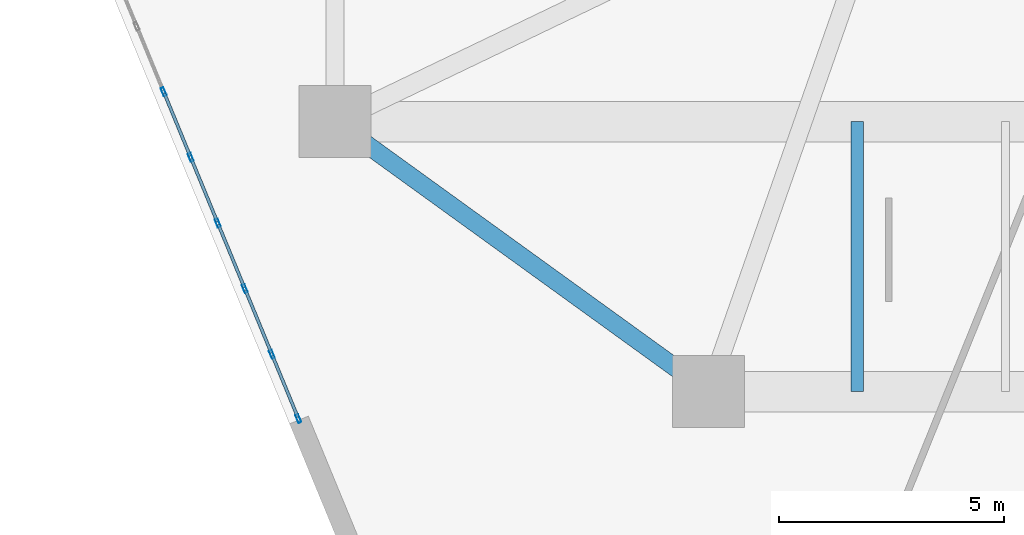
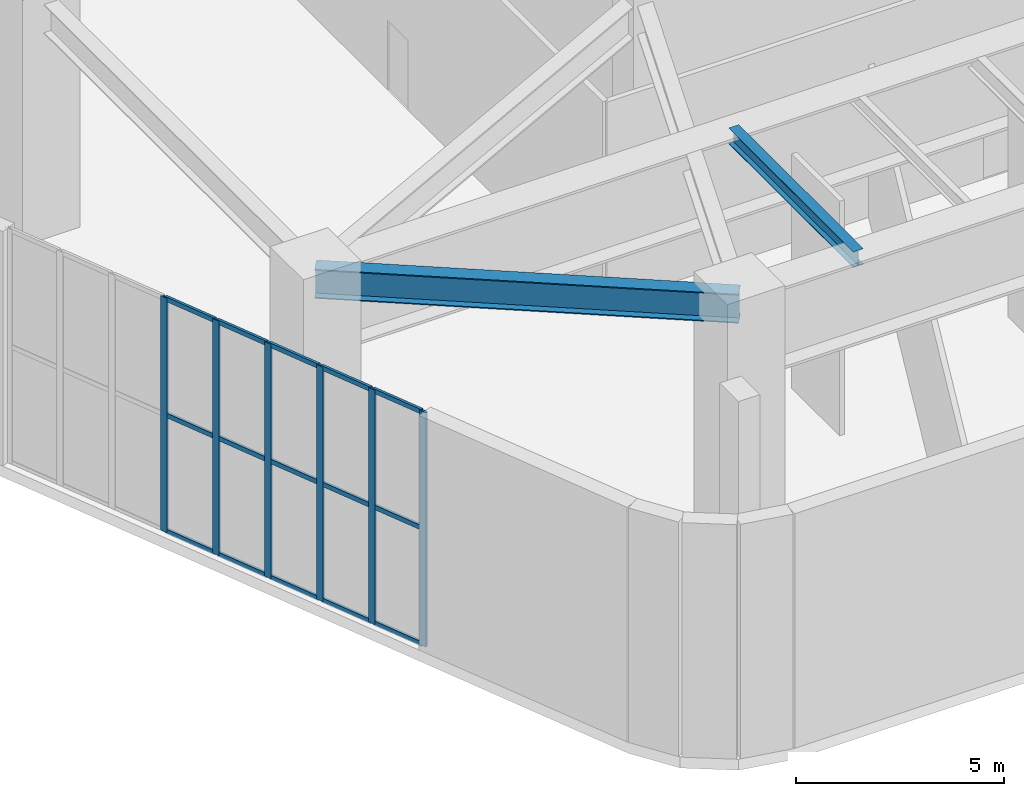
# One storey, part 2 of 17: 21 members, 2 beams, 1 element without a shape of its own.
"""IFC4 building model written with IfcOpenShell, lengths in metres."""

from ifc_helpers import new_model, si_unit, direction, frame, origin, origin_2d, place, context, subcontext, project, spatial, hollow_rectangle, i_section, extrude, material, layer, layer_set, material_profile, profile_set, type_object, element, aggregate, save


model = new_model("IFC4")

# Units and contexts
model_context = context("Model", 3, precision=1e-05, world=origin(), true_north=direction((0.0, 1.0)))
body_context = subcontext(model_context, "Body", "Model", "MODEL_VIEW")
ifc_project = project(units=[si_unit("LENGTHUNIT", "METRE"), si_unit("AREAUNIT", "SQUARE_METRE"), si_unit("VOLUMEUNIT", "CUBIC_METRE"), si_unit("PLANEANGLEUNIT", "RADIAN"), si_unit("MASSUNIT", "GRAM", prefix="KILO")], contexts=[model_context])

# Site, building, storey
site_placement = place(None, origin())
site = spatial("IfcSite", under=ifc_project, at=site_placement, CompositionType="ELEMENT")
building_placement = place(site_placement, origin())
building = spatial("IfcBuilding", under=site, at=building_placement, Name="Kilnhurst Terrace Hotel", CompositionType="ELEMENT")
storey_placement = place(building_placement, frame((0.0, 0.0, 11.39990234375)))
storey = spatial("IfcBuildingStorey", under=building, at=storey_placement, Name="L02", CompositionType="ELEMENT", Elevation=11.39990234375)

# Beams
ifc_material_1 = material(Name="Steel ASTM A992 Grade 50", Category="steel")
ifc_material_profile_1 = material_profile(ifc_material_1, i_section(OverallWidth=0.39990234375, OverallDepth=0.85546875, WebThickness=0.018310546875, FlangeThickness=0.029296875, at=origin_2d()), Name="W33X201")
ifc_profile_set_1 = profile_set([ifc_material_profile_1], Name="Steel ASTM A992 Grade 50")
beam_type_1 = type_object("IfcBeamType", Name="BM-STL-W33X201", PredefinedType="BEAM", material=ifc_profile_set_1)
beam_1_placement = place(storey_placement, frame((-21.5, -13.5, 6.4521484375), z_axis=(0.810423314702, -0.585844732833, 0.0), x_axis=(0.585844732833, 0.810423314702, 0.0)))
element("IfcBeam", 1, at=beam_1_placement, inside=storey, type_object=beam_type_1, Name="L02 Podium Frame Beam 17", PredefinedType="BEAM", context=body_context, shape_type="SweptSolid", body=[
    extrude(i_section(OverallWidth=0.39990234375, OverallDepth=0.85546875, WebThickness=0.018310546875, FlangeThickness=0.029296875, at=origin_2d()), origin(), (0.0, 0.0, 1.0), 10.24169921875),
])
ifc_material_profile_2 = material_profile(ifc_material_1, i_section(OverallWidth=0.279296875, OverallDepth=0.462890625, WebThickness=0.0107421875, FlangeThickness=0.017333984375, at=origin_2d()), Name="W18X76")
ifc_profile_set_2 = profile_set([ifc_material_profile_2], Name="Steel ASTM A992 Grade 50")
beam_type_2 = type_object("IfcBeamType", Name="JST-STL-W18X76", PredefinedType="JOIST", material=ifc_profile_set_2)
beam_2_placement = place(storey_placement, frame((-9.89990234375, -19.5, 6.648193359375), z_axis=(0.0, 1.0, 0.0), x_axis=(-1.0, 0.0, 0.0)))
element("IfcBeam", 2, at=beam_2_placement, inside=storey, type_object=beam_type_2, Name="L02 Ballroom Long-Span Secondary Joist 1", PredefinedType="JOIST", context=body_context, shape_type="SweptSolid", body=[
    extrude(i_section(OverallWidth=0.279296875, OverallDepth=0.462890625, WebThickness=0.0107421875, FlangeThickness=0.017333984375, at=origin_2d()), origin(), (0.0, 0.0, 1.0), 6.0),
])

# Curtain wall, members
ifc_material_2 = material(Name="Anodized Aluminium Alloy 6063-T6 and Low-E Glass", Category="aluminium")
ifc_layer = layer(ifc_material_2, 0.219970703125, Name="Anodized Aluminium Alloy 6063-T6 and Low-E Glass")
ifc_layer_set = layer_set([ifc_layer], Name="Anodized Aluminium Alloy 6063-T6 and Low-E Glass")
curtain_wall_type = type_object("IfcCurtainWallType", Name="CW-POD-TERR", PredefinedType="NOTDEFINED", material=ifc_layer_set)
curtain_wall_placement = place(storey_placement, origin())
curtain_wall = element("IfcCurtainWall", 3, at=curtain_wall_placement, inside=storey, type_object=curtain_wall_type, Name="L02 Curtain Wall CW-L02-F6-1", PredefinedType="NOTDEFINED")
ifc_material_3 = material(Name="Extruded Aluminium Alloy 6063-T6", Category="aluminium")
ifc_material_profile_3 = material_profile(ifc_material_3, hollow_rectangle(XDim=0.070068359375, YDim=0.18994140625, WallThickness=0.00390625, at=origin_2d()), Name="CWM70X190")
ifc_profile_set_3 = profile_set([ifc_material_profile_3], Name="Extruded Aluminium Alloy 6063-T6")
member_type_1 = type_object("IfcMemberType", Name="MEM-CWM70X190", PredefinedType="MULLION", material=ifc_profile_set_3)
member_1_placement = place(storey_placement, frame((-25.306884765625, -12.83740234375, 0.0), z_axis=(0.0, 0.0, 1.0), x_axis=(0.924544973809, 0.381072947615, 0.0)))
member_1 = element("IfcMember", 4, at=member_1_placement, type_object=member_type_1, Name="CWT-2 mullion 4", PredefinedType="MULLION", context=body_context, shape_type="SweptSolid", body=[
    extrude(hollow_rectangle(XDim=0.070068359375, YDim=0.18994140625, WallThickness=0.00390625, at=origin_2d()), origin(), (0.0, 0.0, 1.0), 6.880126953125),
])
member_2_placement = place(storey_placement, frame((-24.70556640625, -14.296142578125, 0.0), z_axis=(0.0, 0.0, 1.0), x_axis=(0.924544973809, 0.381072947615, 0.0)))
member_2 = element("IfcMember", 5, at=member_2_placement, type_object=member_type_1, Name="CWT-2 mullion 5", PredefinedType="MULLION", context=body_context, shape_type="SweptSolid", body=[
    extrude(hollow_rectangle(XDim=0.070068359375, YDim=0.18994140625, WallThickness=0.00390625, at=origin_2d()), origin(), (0.0, 0.0, 1.0), 6.880126953125),
])
member_3_placement = place(storey_placement, frame((-24.1044921875, -15.7548828125, 0.0), z_axis=(0.0, 0.0, 1.0), x_axis=(0.924544973809, 0.381072947615, 0.0)))
member_3 = element("IfcMember", 6, at=member_3_placement, type_object=member_type_1, Name="CWT-2 mullion 6", PredefinedType="MULLION", context=body_context, shape_type="SweptSolid", body=[
    extrude(hollow_rectangle(XDim=0.070068359375, YDim=0.18994140625, WallThickness=0.00390625, at=origin_2d()), origin(), (0.0, 0.0, 1.0), 6.880126953125),
])
member_4_placement = place(storey_placement, frame((-23.503173828125, -17.213623046875, 0.0), z_axis=(0.0, 0.0, 1.0), x_axis=(0.924544973809, 0.381072947615, 0.0)))
member_4 = element("IfcMember", 7, at=member_4_placement, type_object=member_type_1, Name="CWT-2 mullion 7", PredefinedType="MULLION", context=body_context, shape_type="SweptSolid", body=[
    extrude(hollow_rectangle(XDim=0.070068359375, YDim=0.18994140625, WallThickness=0.00390625, at=origin_2d()), origin(), (0.0, 0.0, 1.0), 6.880126953125),
])
member_5_placement = place(storey_placement, frame((-22.90185546875, -18.67236328125, 0.0), z_axis=(0.0, 0.0, 1.0), x_axis=(0.924544973809, 0.381072947615, 0.0)))
member_5 = element("IfcMember", 8, at=member_5_placement, type_object=member_type_1, Name="CWT-2 mullion 8", PredefinedType="MULLION", context=body_context, shape_type="SweptSolid", body=[
    extrude(hollow_rectangle(XDim=0.070068359375, YDim=0.18994140625, WallThickness=0.00390625, at=origin_2d()), origin(), (0.0, 0.0, 1.0), 6.880126953125),
])
member_6_placement = place(storey_placement, frame((-22.31396484375, -20.0986328125, 0.0), z_axis=(0.0, 0.0, 1.0), x_axis=(0.924544973809, 0.381072947615, 0.0)))
member_6 = element("IfcMember", 9, at=member_6_placement, type_object=member_type_1, Name="CWT-2 mullion 9", PredefinedType="MULLION", context=body_context, shape_type="SweptSolid", body=[
    extrude(hollow_rectangle(XDim=0.070068359375, YDim=0.18994140625, WallThickness=0.00390625, at=origin_2d()), origin(), (0.0, 0.0, 1.0), 6.880126953125),
])
ifc_material_profile_4 = material_profile(ifc_material_3, hollow_rectangle(XDim=0.070068359375, YDim=0.135009765625, WallThickness=0.00390625, at=origin_2d()), Name="CWT70X135")
ifc_profile_set_4 = profile_set([ifc_material_profile_4], Name="Extruded Aluminium Alloy 6063-T6")
member_type_2 = type_object("IfcMemberType", Name="MEM-CWT70X135", PredefinedType="USERDEFINED", material=ifc_profile_set_4)
member_7_placement = place(storey_placement, frame((-25.29345703125, -12.869873046875, 0.03515625), z_axis=(0.381002255107, -0.924574108227, 0.0), x_axis=(0.924574108227, 0.381002255107, 0.0)))
member_7 = element("IfcMember", 10, at=member_7_placement, type_object=member_type_2, Name="CWT-2 transom 4.1", ObjectType="TRANSOM", PredefinedType="USERDEFINED", context=body_context, shape_type="SweptSolid", body=[
    extrude(hollow_rectangle(XDim=0.070068359375, YDim=0.135009765625, WallThickness=0.00390625, at=origin_2d()), origin(), (0.0, 0.0, 1.0), 1.5078125),
])
member_8_placement = place(storey_placement, frame((-25.29345703125, -12.869873046875, 3.440185546875), z_axis=(0.381002255107, -0.924574108227, 0.0), x_axis=(0.924574108227, 0.381002255107, 0.0)))
member_8 = element("IfcMember", 11, at=member_8_placement, type_object=member_type_2, Name="CWT-2 transom 4.2", ObjectType="TRANSOM", PredefinedType="USERDEFINED", context=body_context, shape_type="SweptSolid", body=[
    extrude(hollow_rectangle(XDim=0.070068359375, YDim=0.135009765625, WallThickness=0.00390625, at=origin_2d()), origin(), (0.0, 0.0, 1.0), 1.5078125),
])
member_9_placement = place(storey_placement, frame((-25.29345703125, -12.869873046875, 6.84521484375), z_axis=(0.381002255107, -0.924574108227, 0.0), x_axis=(0.924574108227, 0.381002255107, 0.0)))
member_9 = element("IfcMember", 12, at=member_9_placement, type_object=member_type_2, Name="CWT-2 transom 4.3", ObjectType="TRANSOM", PredefinedType="USERDEFINED", context=body_context, shape_type="SweptSolid", body=[
    extrude(hollow_rectangle(XDim=0.070068359375, YDim=0.135009765625, WallThickness=0.00390625, at=origin_2d()), origin(), (0.0, 0.0, 1.0), 1.5078125),
])
member_10_placement = place(storey_placement, frame((-24.6923828125, -14.32861328125, 0.03515625), z_axis=(0.381140659183, -0.924517061994, 0.0), x_axis=(0.924517061994, 0.381140659183, 0.0)))
member_10 = element("IfcMember", 13, at=member_10_placement, type_object=member_type_2, Name="CWT-2 transom 5.1", ObjectType="TRANSOM", PredefinedType="USERDEFINED", context=body_context, shape_type="SweptSolid", body=[
    extrude(hollow_rectangle(XDim=0.070068359375, YDim=0.135009765625, WallThickness=0.00390625, at=origin_2d()), origin(), (0.0, 0.0, 1.0), 1.5078125),
])
member_11_placement = place(storey_placement, frame((-24.6923828125, -14.32861328125, 3.440185546875), z_axis=(0.381140659183, -0.924517061994, 0.0), x_axis=(0.924517061994, 0.381140659183, 0.0)))
member_11 = element("IfcMember", 14, at=member_11_placement, type_object=member_type_2, Name="CWT-2 transom 5.2", ObjectType="TRANSOM", PredefinedType="USERDEFINED", context=body_context, shape_type="SweptSolid", body=[
    extrude(hollow_rectangle(XDim=0.070068359375, YDim=0.135009765625, WallThickness=0.00390625, at=origin_2d()), origin(), (0.0, 0.0, 1.0), 1.5078125),
])
member_12_placement = place(storey_placement, frame((-24.6923828125, -14.32861328125, 6.84521484375), z_axis=(0.381140659183, -0.924517061994, 0.0), x_axis=(0.924517061994, 0.381140659183, 0.0)))
member_12 = element("IfcMember", 15, at=member_12_placement, type_object=member_type_2, Name="CWT-2 transom 5.3", ObjectType="TRANSOM", PredefinedType="USERDEFINED", context=body_context, shape_type="SweptSolid", body=[
    extrude(hollow_rectangle(XDim=0.070068359375, YDim=0.135009765625, WallThickness=0.00390625, at=origin_2d()), origin(), (0.0, 0.0, 1.0), 1.5078125),
])
member_13_placement = place(storey_placement, frame((-24.091064453125, -15.787353515625, 0.03515625), z_axis=(0.381059302314, -0.924550597923, 0.0), x_axis=(0.924550597923, 0.381059302314, 0.0)))
member_13 = element("IfcMember", 16, at=member_13_placement, type_object=member_type_2, Name="CWT-2 transom 6.1", ObjectType="TRANSOM", PredefinedType="USERDEFINED", context=body_context, shape_type="SweptSolid", body=[
    extrude(hollow_rectangle(XDim=0.070068359375, YDim=0.135009765625, WallThickness=0.00390625, at=origin_2d()), origin(), (0.0, 0.0, 1.0), 1.507568359375),
])
member_14_placement = place(storey_placement, frame((-24.091064453125, -15.787353515625, 3.440185546875), z_axis=(0.381059302314, -0.924550597923, 0.0), x_axis=(0.924550597923, 0.381059302314, 0.0)))
member_14 = element("IfcMember", 17, at=member_14_placement, type_object=member_type_2, Name="CWT-2 transom 6.2", ObjectType="TRANSOM", PredefinedType="USERDEFINED", context=body_context, shape_type="SweptSolid", body=[
    extrude(hollow_rectangle(XDim=0.070068359375, YDim=0.135009765625, WallThickness=0.00390625, at=origin_2d()), origin(), (0.0, 0.0, 1.0), 1.507568359375),
])
member_15_placement = place(storey_placement, frame((-24.091064453125, -15.787353515625, 6.84521484375), z_axis=(0.381059302314, -0.924550597923, 0.0), x_axis=(0.924550597923, 0.381059302314, 0.0)))
member_15 = element("IfcMember", 18, at=member_15_placement, type_object=member_type_2, Name="CWT-2 transom 6.3", ObjectType="TRANSOM", PredefinedType="USERDEFINED", context=body_context, shape_type="SweptSolid", body=[
    extrude(hollow_rectangle(XDim=0.070068359375, YDim=0.135009765625, WallThickness=0.00390625, at=origin_2d()), origin(), (0.0, 0.0, 1.0), 1.507568359375),
])
member_16_placement = place(storey_placement, frame((-23.48974609375, -17.245849609375, 0.03515625), z_axis=(0.381002255107, -0.924574108227, 0.0), x_axis=(0.924574108227, 0.381002255107, 0.0)))
member_16 = element("IfcMember", 19, at=member_16_placement, type_object=member_type_2, Name="CWT-2 transom 7.1", ObjectType="TRANSOM", PredefinedType="USERDEFINED", context=body_context, shape_type="SweptSolid", body=[
    extrude(hollow_rectangle(XDim=0.070068359375, YDim=0.135009765625, WallThickness=0.00390625, at=origin_2d()), origin(), (0.0, 0.0, 1.0), 1.5078125),
])
member_17_placement = place(storey_placement, frame((-23.48974609375, -17.245849609375, 3.440185546875), z_axis=(0.381002255107, -0.924574108227, 0.0), x_axis=(0.924574108227, 0.381002255107, 0.0)))
member_17 = element("IfcMember", 20, at=member_17_placement, type_object=member_type_2, Name="CWT-2 transom 7.2", ObjectType="TRANSOM", PredefinedType="USERDEFINED", context=body_context, shape_type="SweptSolid", body=[
    extrude(hollow_rectangle(XDim=0.070068359375, YDim=0.135009765625, WallThickness=0.00390625, at=origin_2d()), origin(), (0.0, 0.0, 1.0), 1.5078125),
])
member_18_placement = place(storey_placement, frame((-23.48974609375, -17.245849609375, 6.84521484375), z_axis=(0.381002255107, -0.924574108227, 0.0), x_axis=(0.924574108227, 0.381002255107, 0.0)))
member_18 = element("IfcMember", 21, at=member_18_placement, type_object=member_type_2, Name="CWT-2 transom 7.3", ObjectType="TRANSOM", PredefinedType="USERDEFINED", context=body_context, shape_type="SweptSolid", body=[
    extrude(hollow_rectangle(XDim=0.070068359375, YDim=0.135009765625, WallThickness=0.00390625, at=origin_2d()), origin(), (0.0, 0.0, 1.0), 1.5078125),
])
member_19_placement = place(storey_placement, frame((-22.888671875, -18.70458984375, 0.03515625), z_axis=(0.381116638222, -0.924526964491, 0.0), x_axis=(0.924526964491, 0.381116638222, 0.0)))
member_19 = element("IfcMember", 22, at=member_19_placement, type_object=member_type_2, Name="CWT-2 transom 8.1", ObjectType="TRANSOM", PredefinedType="USERDEFINED", context=body_context, shape_type="SweptSolid", body=[
    extrude(hollow_rectangle(XDim=0.070068359375, YDim=0.135009765625, WallThickness=0.00390625, at=origin_2d()), origin(), (0.0, 0.0, 1.0), 1.47265625),
])
member_20_placement = place(storey_placement, frame((-22.888671875, -18.70458984375, 3.440185546875), z_axis=(0.381116638222, -0.924526964491, 0.0), x_axis=(0.924526964491, 0.381116638222, 0.0)))
member_20 = element("IfcMember", 23, at=member_20_placement, type_object=member_type_2, Name="CWT-2 transom 8.2", ObjectType="TRANSOM", PredefinedType="USERDEFINED", context=body_context, shape_type="SweptSolid", body=[
    extrude(hollow_rectangle(XDim=0.070068359375, YDim=0.135009765625, WallThickness=0.00390625, at=origin_2d()), origin(), (0.0, 0.0, 1.0), 1.47265625),
])
member_21_placement = place(storey_placement, frame((-22.888671875, -18.70458984375, 6.84521484375), z_axis=(0.381116638222, -0.924526964491, 0.0), x_axis=(0.924526964491, 0.381116638222, 0.0)))
member_21 = element("IfcMember", 24, at=member_21_placement, type_object=member_type_2, Name="CWT-2 transom 8.3", ObjectType="TRANSOM", PredefinedType="USERDEFINED", context=body_context, shape_type="SweptSolid", body=[
    extrude(hollow_rectangle(XDim=0.070068359375, YDim=0.135009765625, WallThickness=0.00390625, at=origin_2d()), origin(), (0.0, 0.0, 1.0), 1.47265625),
])
aggregate(curtain_wall, [member_1, member_2, member_3, member_4, member_5, member_6, member_7, member_8, member_9, member_10, member_11, member_12, member_13, member_14, member_15, member_16, member_17, member_18, member_19, member_20, member_21])

save(model, "model.ifc")
